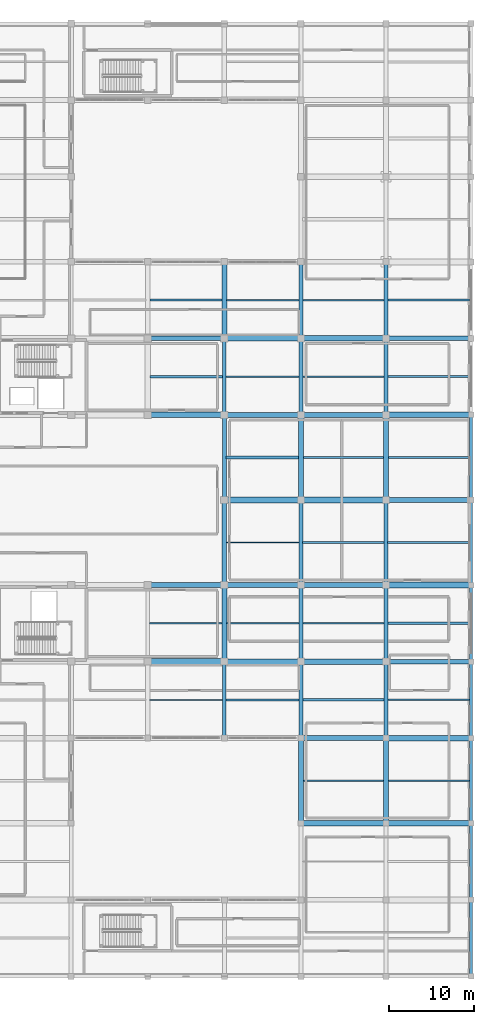
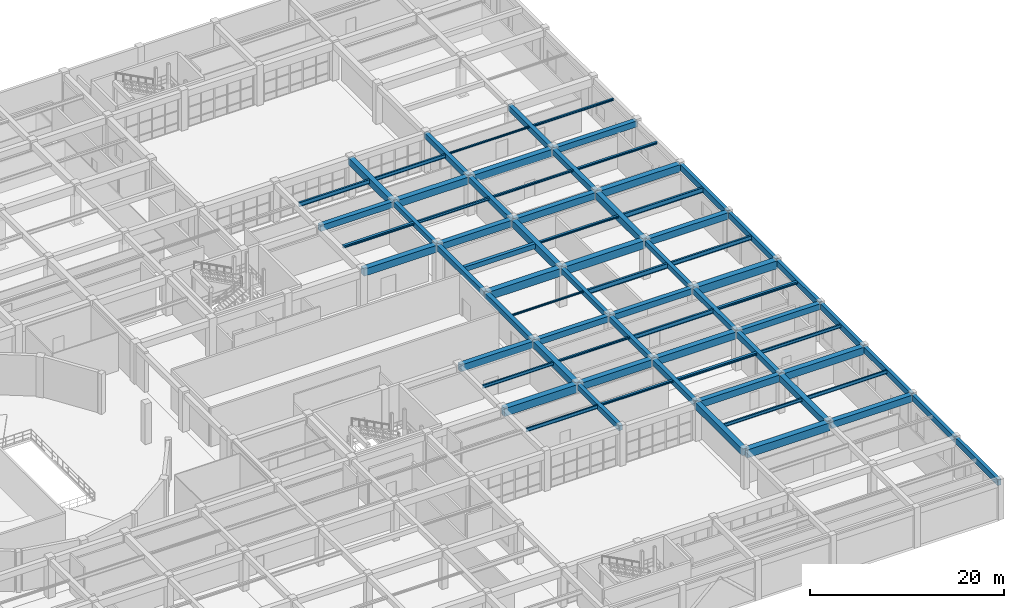
# One storey, part 77 of 128: 74 beams.
"""IFC4 building model written with IfcOpenShell, lengths in metres."""

import ifcopenshell
import ifcopenshell.guid

model = None  # the IFC model being written
_history = None  # IfcOwnerHistory: only IFC2X3 demands one
_inside = {}  # id of a spatial element -> (the spatial element, [elements in it])
_under = {}  # id of a project, library or spatial element -> (it, [spatial elements below it])
_declared = {}  # id of a project -> (the project, [libraries it declares])
_typed = {}  # id of a type object -> (the type object, [elements of that type])
_made_of = {}  # id of a material, layer set ... -> (it, [elements and type objects made of it])


def new_model(schema):
    """Start an empty IFC model of exactly this schema.

    Asked for "IFC4X3", IfcOpenShell would pick the latest addendum, in which some entities
    have other attributes; the version numbers below select the first issue.
    IFC2X3 requires an IfcOwnerHistory on every rooted entity: one is made here for all.
    """
    global model, _history
    if schema == "IFC4X3":
        model = ifcopenshell.file(schema_version=(4, 3, 0, 0))
    else:
        model = ifcopenshell.file(schema=schema)
    _inside.clear()
    _under.clear()
    _declared.clear()
    _typed.clear()
    _made_of.clear()
    _history = None
    if model.schema == "IFC2X3":
        org = make("IfcOrganization", Name="unknown")
        user = make(
            "IfcPersonAndOrganization",
            ThePerson=make("IfcPerson", FamilyName="unknown"),
            TheOrganization=org,
        )
        app = make(
            "IfcApplication",
            ApplicationDeveloper=org,
            Version="unknown",
            ApplicationFullName="unknown",
            ApplicationIdentifier="unknown",
        )
        _history = make(
            "IfcOwnerHistory",
            OwningUser=user,
            OwningApplication=app,
            ChangeAction="ADDED",
            CreationDate=0,
        )
    return model


def make(cls, **values):
    """One entity of the class cls with the attributes given. An attribute that is None is left unset."""
    return model.create_entity(
        cls, **{name: value for name, value in values.items() if value is not None}
    )


def rooted(cls, **values):
    """An entity with a GlobalId (a new one), such as an element, a storey or a relation."""
    return make(cls, GlobalId=ifcopenshell.guid.new(), OwnerHistory=_history, **values)


def si_unit(unit_type, name, prefix=None):
    """IfcSIUnit, for example si_unit("LENGTHUNIT", "METRE", prefix="MILLI")."""
    return make("IfcSIUnit", UnitType=unit_type, Prefix=prefix, Name=name)


def assignment(units):
    """IfcUnitAssignment: the units of a project."""
    return None if units is None else make("IfcUnitAssignment", Units=units)


def point(xyz):
    """IfcCartesianPoint."""
    return None if xyz is None else make("IfcCartesianPoint", Coordinates=xyz)


def direction(xyz):
    """IfcDirection."""
    return None if xyz is None else make("IfcDirection", DirectionRatios=xyz)


def frame(location, z_axis=None, x_axis=None):
    """IfcAxis2Placement3D, a coordinate frame: its origin and axes. An axis left out is left unset."""
    return make(
        "IfcAxis2Placement3D",
        Location=point(location),
        Axis=direction(z_axis),
        RefDirection=direction(x_axis),
    )


def frame_2d(location, x_axis=None):
    """IfcAxis2Placement2D, a coordinate frame in the plane: its origin and x axis."""
    return make(
        "IfcAxis2Placement2D", Location=point(location), RefDirection=direction(x_axis)
    )


def origin():
    """The frame at (0, 0, 0) with its axes left unset."""
    return frame((0.0, 0.0, 0.0))


def origin_2d():
    """The frame at (0, 0) in the plane with its x axis left unset."""
    return frame_2d((0.0, 0.0))


def place(relative_to, where):
    """IfcLocalPlacement: puts the frame where relative to a parent placement (None: the world)."""
    return make(
        "IfcLocalPlacement", PlacementRelTo=relative_to, RelativePlacement=where
    )


def context(
    kind, dimensions, precision=None, world=None, true_north=None, identifier=None
):
    """IfcGeometricRepresentationContext, for example the 3D "Model" context."""
    return make(
        "IfcGeometricRepresentationContext",
        ContextIdentifier=identifier,
        ContextType=kind,
        CoordinateSpaceDimension=dimensions,
        Precision=precision,
        WorldCoordinateSystem=world,
        TrueNorth=true_north,
    )


def subcontext(parent, identifier, kind, view, scale=None):
    """IfcGeometricRepresentationSubContext, for example "Body" below "Model"."""
    return make(
        "IfcGeometricRepresentationSubContext",
        ContextIdentifier=identifier,
        ContextType=kind,
        ParentContext=parent,
        TargetScale=scale,
        TargetView=view,
    )


def project(units=None, contexts=None):
    """IfcProject with its units and contexts."""
    return rooted(
        "IfcProject",
        Name="project",
        RepresentationContexts=contexts,
        UnitsInContext=assignment(units),
    )


def spatial(cls, under=None, at=None, **own):
    """A site, building, storey or space (cls), placed at a placement, below another one or the project."""
    s = rooted(cls, ObjectPlacement=at, **own)
    if under is not None:
        _under.setdefault(under.id(), (under, []))[1].append(s)
    return s


def profile(cls, at=None, kind="AREA", **sizes):
    """A parametric profile (cls). Its sizes go by their IFC names, for example OverallWidth=200.0."""
    return make(cls, ProfileType=kind, Position=at, **sizes)


def rectangle(**sizes):
    """IfcRectangleProfileDef."""
    return profile("IfcRectangleProfileDef", **sizes)


def i_section(**sizes):
    """IfcIShapeProfileDef."""
    return profile("IfcIShapeProfileDef", **sizes)


def extrude(swept, where, along, depth):
    """IfcExtrudedAreaSolid: the profile swept, set in the frame where, extruded along a direction by depth."""
    return make(
        "IfcExtrudedAreaSolid",
        SweptArea=swept,
        Position=where,
        ExtrudedDirection=direction(along),
        Depth=depth,
    )


def shape(context_of_items, identifier, shape_type, items):
    """IfcShapeRepresentation: the items that make up one representation, for example the "Body"."""
    return make(
        "IfcShapeRepresentation",
        ContextOfItems=context_of_items,
        RepresentationIdentifier=identifier,
        RepresentationType=shape_type,
        Items=items,
    )


def material(Name=None, Category=None):
    """IfcMaterial."""
    return make("IfcMaterial", Name=Name, Category=Category)


def material_profile(
    of_material, cross_section, Name=None, Category=None, Priority=None
):
    """IfcMaterialProfile: a cross section and its material."""
    return make(
        "IfcMaterialProfile",
        Name=Name,
        Material=of_material,
        Profile=cross_section,
        Priority=Priority,
        Category=Category,
    )


def profile_set(profiles, Name=None, composite=None):
    """IfcMaterialProfileSet."""
    return make(
        "IfcMaterialProfileSet",
        Name=Name,
        MaterialProfiles=profiles,
        CompositeProfile=composite,
    )


def made_of(thing, what):
    """Note that an element or type object is made of a material, layer set ...; save() writes the relation."""
    if what is not None:
        _made_of.setdefault(what.id(), (what, []))[1].append(thing)
    return thing


def type_object(cls, material=None, **own):
    """A type object (cls), such as IfcWallType, which elements share."""
    return made_of(rooted(cls, **own), material)


def element(
    cls,
    number,
    at=None,
    inside=None,
    cuts=None,
    type_object=None,
    material=None,
    context=None,
    identifier="Body",
    shape_type=None,
    held_by="IfcProductDefinitionShape",
    body=None,
    shapes=None,
    **own,
):
    """One element of the class cls, such as IfcWall. Its Tag is "e" and its number.

    at: its placement. inside: the storey or other place that contains it. cuts: it is an
    opening in that element (IfcRelVoidsElement). A single representation is given by context,
    identifier, shape_type and body (its items); several are given by shapes. held_by: the class
    of the entity that holds the representations. save() writes the other relations.
    """
    e = rooted(cls, Tag="e%d" % number, ObjectPlacement=at, **own)
    if body is not None:
        shapes = [shape(context, identifier, shape_type, body)]
    if shapes is not None:
        e.Representation = make(held_by, Representations=shapes)
    if inside is not None:
        _inside.setdefault(inside.id(), (inside, []))[1].append(e)
    if cuts is not None:
        rooted(
            "IfcRelVoidsElement", RelatingBuildingElement=cuts, RelatedOpeningElement=e
        )
    if type_object is not None:
        _typed.setdefault(type_object.id(), (type_object, []))[1].append(e)
    return made_of(e, material)


def aggregate(whole, parts):
    """IfcRelAggregates: a whole, such as a stair, and the parts it consists of."""
    return rooted("IfcRelAggregates", RelatingObject=whole, RelatedObjects=parts)


def save(model, path):
    """Write the relations noted so far, then the file.

    IfcRelAggregates (storeys below a building ...), IfcRelContainedInSpatialStructure (elements
    in a storey), IfcRelDefinesByType, IfcRelAssociatesMaterial and IfcRelDeclares: one each for
    every whole, place, type object, material and project.
    """
    for whole, parts in _under.values():
        aggregate(whole, parts)
    for where, things in _inside.values():
        rooted(
            "IfcRelContainedInSpatialStructure",
            RelatedElements=things,
            RelatingStructure=where,
        )
    for kind, things in _typed.values():
        rooted("IfcRelDefinesByType", RelatedObjects=things, RelatingType=kind)
    for what, things in _made_of.values():
        rooted("IfcRelAssociatesMaterial", RelatedObjects=things, RelatingMaterial=what)
    for by, libraries in _declared.values():
        rooted("IfcRelDeclares", RelatingContext=by, RelatedDefinitions=libraries)
    model.write(path)


model = new_model("IFC4")

# Units and contexts
model_context = context("Model", 3, precision=1e-05, world=origin(), true_north=direction((0.0, 1.0)))
body_context = subcontext(model_context, "Body", "Model", "MODEL_VIEW")
ifc_project = project(units=[si_unit("LENGTHUNIT", "METRE"), si_unit("AREAUNIT", "SQUARE_METRE"), si_unit("VOLUMEUNIT", "CUBIC_METRE"), si_unit("PLANEANGLEUNIT", "RADIAN"), si_unit("MASSUNIT", "GRAM", prefix="KILO")], contexts=[model_context])

# Site, building, storey
site_placement = place(None, origin())
site = spatial("IfcSite", under=ifc_project, at=site_placement, CompositionType="ELEMENT")
building_placement = place(site_placement, origin())
building = spatial("IfcBuilding", under=site, at=building_placement, Name="Miravela Opera House", CompositionType="ELEMENT")
storey_placement = place(building_placement, origin())
storey = spatial("IfcBuildingStorey", under=building, at=storey_placement, Name="L00", CompositionType="ELEMENT", Elevation=0.0)

# Beams
ifc_material_1 = material(Name="Concrete C35/45", Category="concrete")
ifc_material_profile_1 = material_profile(ifc_material_1, rectangle(XDim=0.39990234375, YDim=0.60009765625, at=origin_2d()), Name="RC-BM-400X600")
ifc_profile_set_1 = profile_set([ifc_material_profile_1])
beam_type_1 = type_object("IfcBeamType", Name="STR-BM-RC400X600", PredefinedType="JOIST", material=ifc_profile_set_1)
beam_1_placement = place(storey_placement, frame((135.22509765625, 61.0, 4.550048828125), z_axis=(1.0, 0.0, 0.0), x_axis=(0.0, 1.0, 0.0)))
element("IfcBeam", 1, at=beam_1_placement, inside=storey, type_object=beam_type_1, Name="Secondary Floor Joist L00 16-17/G-H", PredefinedType="JOIST", context=body_context, shape_type="SweptSolid", body=[
    extrude(rectangle(XDim=0.39990234375, YDim=0.60009765625, at=origin_2d()), origin(), (0.0, 0.0, 1.0), 8.489990234375),
])
ifc_material_profile_2 = material_profile(ifc_material_1, rectangle(XDim=0.449951171875, YDim=0.64990234375, at=origin_2d()), Name="RC-BM-450X650")
ifc_profile_set_2 = profile_set([ifc_material_profile_2])
beam_type_2 = type_object("IfcBeamType", Name="STR-BM-RC450X650", PredefinedType="BEAM", material=ifc_profile_set_2)
for number, where, z_axis, x_axis, name in (
    (2, (135.0, 28.080078125, 4.52490234375), (0.0, 1.0, 0.0), (-1.0, 0.0, 0.0), "Floor Girder L00 16/D-E"),
    (3, (135.0, 66.080078125, 4.52490234375), (0.0, 1.0, 0.0), (-1.0, 0.0, 0.0), "Floor Girder L00 16/H-I"),
):
    element("IfcBeam", number, at=place(storey_placement, frame(where, z_axis=z_axis, x_axis=x_axis)), inside=storey, type_object=beam_type_2, Name=name, PredefinedType="BEAM", context=body_context, shape_type="SweptSolid", body=[
        extrude(rectangle(XDim=0.449951171875, YDim=0.64990234375, at=origin_2d()), origin(), (0.0, 0.0, 1.0), 8.83984375),
    ])
for number, where, z_axis, x_axis, name in (
    (4, (144.0, 46.080078125, 4.52490234375), (0.0, 1.0, 0.0), (-1.0, 0.0, 0.0), "Floor Girder L00 17/F-G"),
    (5, (154.0, 46.080078125, 4.52490234375), (0.0, 1.0, 0.0), (-1.0, 0.0, 0.0), "Floor Girder L00 18/F-G"),
):
    element("IfcBeam", number, at=place(storey_placement, frame(where, z_axis=z_axis, x_axis=x_axis)), inside=storey, type_object=beam_type_2, Name=name, PredefinedType="BEAM", context=body_context, shape_type="SweptSolid", body=[
        extrude(rectangle(XDim=0.449951171875, YDim=0.64990234375, at=origin_2d()), origin(), (0.0, 0.0, 1.0), 9.83984375),
    ])
ifc_material_profile_3 = material_profile(ifc_material_1, rectangle(XDim=0.47998046875, YDim=0.679931640625, at=origin_2d()), Name="RC-BM-480X680")
ifc_profile_set_3 = profile_set([ifc_material_profile_3])
beam_type_3 = type_object("IfcBeamType", Name="STR-BM-RC480X680", PredefinedType="BEAM", material=ifc_profile_set_3)
beam_2_placement = place(storey_placement, frame((135.0, 56.080078125, 4.510009765625), z_axis=(0.0, 1.0, 0.0), x_axis=(-1.0, 0.0, 0.0)))
element("IfcBeam", 6, at=beam_2_placement, inside=storey, type_object=beam_type_3, Name="Floor Girder L00 16/G-H", PredefinedType="BEAM", context=body_context, shape_type="SweptSolid", body=[
    extrude(rectangle(XDim=0.47998046875, YDim=0.679931640625, at=origin_2d()), origin(), (0.0, 0.0, 1.0), 9.83984375),
])
for number, where, z_axis, x_axis, name in (
    (7, (144.0, 37.080078125, 4.510009765625), (0.0, 1.0, 0.0), (-1.0, 0.0, 0.0), "Floor Girder L00 17/E-F"),
    (8, (144.0, 75.080078125, 4.510009765625), (0.0, 1.0, 0.0), (-1.0, 0.0, 0.0), "Floor Girder L00 17/I-J"),
    (9, (154.0, 37.080078125, 4.510009765625), (0.0, 1.0, 0.0), (-1.0, 0.0, 0.0), "Floor Girder L00 18/E-F"),
    (10, (154.0, 75.080078125, 4.510009765625), (0.0, 1.0, 0.0), (-1.0, 0.0, 0.0), "Floor Girder L00 18/I-J"),
):
    element("IfcBeam", number, at=place(storey_placement, frame(where, z_axis=z_axis, x_axis=x_axis)), inside=storey, type_object=beam_type_3, Name=name, PredefinedType="BEAM", context=body_context, shape_type="SweptSolid", body=[
        extrude(rectangle(XDim=0.47998046875, YDim=0.679931640625, at=origin_2d()), origin(), (0.0, 0.0, 1.0), 8.83984375),
    ])
ifc_material_profile_4 = material_profile(ifc_material_1, rectangle(XDim=0.5, YDim=0.699951171875, at=origin_2d()), Name="RC-BM-500X700")
ifc_profile_set_4 = profile_set([ifc_material_profile_4])
beam_type_4 = type_object("IfcBeamType", Name="STR-BM-RC500X700", PredefinedType="BEAM", material=ifc_profile_set_4)
beam_3_placement = place(storey_placement, frame((135.0, 46.080078125, 4.5), z_axis=(0.0, 1.0, 0.0), x_axis=(-1.0, 0.0, 0.0)))
element("IfcBeam", 11, at=beam_3_placement, inside=storey, type_object=beam_type_4, Name="Floor Girder L00 16/F-G", PredefinedType="BEAM", context=body_context, shape_type="SweptSolid", body=[
    extrude(rectangle(XDim=0.5, YDim=0.699951171875, at=origin_2d()), origin(), (0.0, 0.0, 1.0), 9.83984375),
])
for number, where, z_axis, x_axis, name in (
    (12, (144.0, 28.080078125, 4.5), (0.0, 1.0, 0.0), (-1.0, 0.0, 0.0), "Floor Girder L00 17/D-E"),
    (13, (144.0, 66.080078125, 4.5), (0.0, 1.0, 0.0), (-1.0, 0.0, 0.0), "Floor Girder L00 17/H-I"),
    (14, (154.0, 28.080078125, 4.5), (0.0, 1.0, 0.0), (-1.0, 0.0, 0.0), "Floor Girder L00 18/D-E"),
    (15, (154.0, 66.080078125, 4.5), (0.0, 1.0, 0.0), (-1.0, 0.0, 0.0), "Floor Girder L00 18/H-I"),
):
    element("IfcBeam", number, at=place(storey_placement, frame(where, z_axis=z_axis, x_axis=x_axis)), inside=storey, type_object=beam_type_4, Name=name, PredefinedType="BEAM", context=body_context, shape_type="SweptSolid", body=[
        extrude(rectangle(XDim=0.5, YDim=0.699951171875, at=origin_2d()), origin(), (0.0, 0.0, 1.0), 8.83984375),
    ])
ifc_material_profile_5 = material_profile(ifc_material_1, rectangle(XDim=0.550048828125, YDim=0.75, at=origin_2d()), Name="RC-BM-550X750")
ifc_profile_set_5 = profile_set([ifc_material_profile_5])
beam_type_5 = type_object("IfcBeamType", Name="STR-BM-RC550X750", PredefinedType="BEAM", material=ifc_profile_set_5)
for number, where, z_axis, x_axis, name in (
    (16, (126.080078125, 75.0, 4.47509765625), (1.0, 0.0, 0.0), (0.0, 1.0, 0.0), "Floor Girder L00 15-16/I"),
    (17, (135.080078125, 46.0, 4.47509765625), (1.0, 0.0, 0.0), (0.0, 1.0, 0.0), "Floor Girder L00 16-17/F"),
):
    element("IfcBeam", number, at=place(storey_placement, frame(where, z_axis=z_axis, x_axis=x_axis)), inside=storey, type_object=beam_type_5, Name=name, PredefinedType="BEAM", context=body_context, shape_type="SweptSolid", body=[
        extrude(rectangle(XDim=0.550048828125, YDim=0.75, at=origin_2d()), origin(), (0.0, 0.0, 1.0), 8.83984375),
    ])
for number, where, z_axis, x_axis, name in (
    (18, (144.080078125, 46.0, 4.47509765625), (1.0, 0.0, 0.0), (0.0, 1.0, 0.0), "Floor Girder L00 17-18/F"),
    (19, (154.080078125, 37.0, 4.47509765625), (1.0, 0.0, 0.0), (0.0, 1.0, 0.0), "Floor Girder L00 18-19/E"),
    (20, (154.080078125, 75.0, 4.47509765625), (1.0, 0.0, 0.0), (0.0, 1.0, 0.0), "Floor Girder L00 18-19/I"),
):
    element("IfcBeam", number, at=place(storey_placement, frame(where, z_axis=z_axis, x_axis=x_axis)), inside=storey, type_object=beam_type_5, Name=name, PredefinedType="BEAM", context=body_context, shape_type="SweptSolid", body=[
        extrude(rectangle(XDim=0.550048828125, YDim=0.75, at=origin_2d()), origin(), (0.0, 0.0, 1.0), 9.83984375),
    ])
ifc_material_2 = material(Name="Concrete C40/50", Category="concrete")
ifc_material_profile_6 = material_profile(ifc_material_2, rectangle(XDim=0.60009765625, YDim=0.85009765625, at=origin_2d()), Name="RC-BM-600X850")
ifc_profile_set_6 = profile_set([ifc_material_profile_6])
beam_type_6 = type_object("IfcBeamType", Name="STR-BM-RC600X850", PredefinedType="BEAM", material=ifc_profile_set_6)
for number, where, z_axis, x_axis, name in (
    (21, (126.080078125, 46.0, 4.425048828125), (1.0, 0.0, 0.0), (0.0, 1.0, 0.0), "Floor Girder L00 15-16/F"),
    (22, (135.080078125, 66.0, 4.425048828125), (1.0, 0.0, 0.0), (0.0, 1.0, 0.0), "Floor Girder L00 16-17/H"),
):
    element("IfcBeam", number, at=place(storey_placement, frame(where, z_axis=z_axis, x_axis=x_axis)), inside=storey, type_object=beam_type_6, Name=name, PredefinedType="BEAM", context=body_context, shape_type="SweptSolid", body=[
        extrude(rectangle(XDim=0.60009765625, YDim=0.85009765625, at=origin_2d()), origin(), (0.0, 0.0, 1.0), 8.83984375),
    ])
for number, where, z_axis, x_axis, name in (
    (23, (144.080078125, 28.0, 4.425048828125), (1.0, 0.0, 0.0), (0.0, 1.0, 0.0), "Floor Girder L00 17-18/D"),
    (24, (144.080078125, 66.0, 4.425048828125), (1.0, 0.0, 0.0), (0.0, 1.0, 0.0), "Floor Girder L00 17-18/H"),
    (25, (154.080078125, 18.0, 4.425048828125), (1.0, 0.0, 0.0), (0.0, 1.0, 0.0), "Floor Girder L00 18-19/C"),
    (26, (154.080078125, 56.0, 4.425048828125), (1.0, 0.0, 0.0), (0.0, 1.0, 0.0), "Floor Girder L00 18-19/G"),
):
    element("IfcBeam", number, at=place(storey_placement, frame(where, z_axis=z_axis, x_axis=x_axis)), inside=storey, type_object=beam_type_6, Name=name, PredefinedType="BEAM", context=body_context, shape_type="SweptSolid", body=[
        extrude(rectangle(XDim=0.60009765625, YDim=0.85009765625, at=origin_2d()), origin(), (0.0, 0.0, 1.0), 9.83984375),
    ])
for number, where, z_axis, x_axis, name in (
    (27, (135.0, 37.080078125, 4.425048828125), (0.0, 1.0, 0.0), (-1.0, 0.0, 0.0), "Floor Girder L00 16/E-F"),
    (28, (135.0, 75.080078125, 4.425048828125), (0.0, 1.0, 0.0), (-1.0, 0.0, 0.0), "Floor Girder L00 16/I-J"),
):
    element("IfcBeam", number, at=place(storey_placement, frame(where, z_axis=z_axis, x_axis=x_axis)), inside=storey, type_object=beam_type_6, Name=name, PredefinedType="BEAM", context=body_context, shape_type="SweptSolid", body=[
        extrude(rectangle(XDim=0.60009765625, YDim=0.85009765625, at=origin_2d()), origin(), (0.0, 0.0, 1.0), 8.83984375),
    ])
for number, where, z_axis, x_axis, name in (
    (29, (144.0, 18.080078125, 4.425048828125), (0.0, 1.0, 0.0), (-1.0, 0.0, 0.0), "Floor Girder L00 17/C-D"),
    (30, (144.0, 56.080078125, 4.425048828125), (0.0, 1.0, 0.0), (-1.0, 0.0, 0.0), "Floor Girder L00 17/G-H"),
    (31, (154.0, 18.080078125, 4.425048828125), (0.0, 1.0, 0.0), (-1.0, 0.0, 0.0), "Floor Girder L00 18/C-D"),
    (32, (154.0, 56.080078125, 4.425048828125), (0.0, 1.0, 0.0), (-1.0, 0.0, 0.0), "Floor Girder L00 18/G-H"),
):
    element("IfcBeam", number, at=place(storey_placement, frame(where, z_axis=z_axis, x_axis=x_axis)), inside=storey, type_object=beam_type_6, Name=name, PredefinedType="BEAM", context=body_context, shape_type="SweptSolid", body=[
        extrude(rectangle(XDim=0.60009765625, YDim=0.85009765625, at=origin_2d()), origin(), (0.0, 0.0, 1.0), 9.83984375),
    ])
ifc_material_profile_7 = material_profile(ifc_material_2, rectangle(XDim=0.64990234375, YDim=0.89990234375, at=origin_2d()), Name="RC-BM-650X900")
ifc_profile_set_7 = profile_set([ifc_material_profile_7])
beam_type_7 = type_object("IfcBeamType", Name="STR-BM-RC650X900", PredefinedType="BEAM", material=ifc_profile_set_7)
for number, where, z_axis, x_axis, name in (
    (33, (126.080078125, 66.0, 4.39990234375), (1.0, 0.0, 0.0), (0.0, 1.0, 0.0), "Floor Girder L00 15-16/H"),
    (34, (135.080078125, 37.0, 4.39990234375), (1.0, 0.0, 0.0), (0.0, 1.0, 0.0), "Floor Girder L00 16-17/E"),
    (35, (135.080078125, 75.0, 4.39990234375), (1.0, 0.0, 0.0), (0.0, 1.0, 0.0), "Floor Girder L00 16-17/I"),
):
    element("IfcBeam", number, at=place(storey_placement, frame(where, z_axis=z_axis, x_axis=x_axis)), inside=storey, type_object=beam_type_7, Name=name, PredefinedType="BEAM", context=body_context, shape_type="SweptSolid", body=[
        extrude(rectangle(XDim=0.64990234375, YDim=0.89990234375, at=origin_2d()), origin(), (0.0, 0.0, 1.0), 8.83984375),
    ])
for number, where, z_axis, x_axis, name in (
    (36, (144.080078125, 37.0, 4.39990234375), (1.0, 0.0, 0.0), (0.0, 1.0, 0.0), "Floor Girder L00 17-18/E"),
    (37, (144.080078125, 75.0, 4.39990234375), (1.0, 0.0, 0.0), (0.0, 1.0, 0.0), "Floor Girder L00 17-18/I"),
    (38, (154.080078125, 28.0, 4.39990234375), (1.0, 0.0, 0.0), (0.0, 1.0, 0.0), "Floor Girder L00 18-19/D"),
    (39, (154.080078125, 66.0, 4.39990234375), (1.0, 0.0, 0.0), (0.0, 1.0, 0.0), "Floor Girder L00 18-19/H"),
):
    element("IfcBeam", number, at=place(storey_placement, frame(where, z_axis=z_axis, x_axis=x_axis)), inside=storey, type_object=beam_type_7, Name=name, PredefinedType="BEAM", context=body_context, shape_type="SweptSolid", body=[
        extrude(rectangle(XDim=0.64990234375, YDim=0.89990234375, at=origin_2d()), origin(), (0.0, 0.0, 1.0), 9.83984375),
    ])
ifc_material_profile_8 = material_profile(ifc_material_2, rectangle(XDim=0.699951171875, YDim=1.0, at=origin_2d()), Name="RC-BM-700X1000")
ifc_profile_set_8 = profile_set([ifc_material_profile_8])
beam_type_8 = type_object("IfcBeamType", Name="STR-BM-RC700X1000", PredefinedType="BEAM", material=ifc_profile_set_8)
for number, where, z_axis, x_axis, name in (
    (40, (126.080078125, 37.0, 4.35009765625), (1.0, 0.0, 0.0), (0.0, 1.0, 0.0), "Floor Girder L00 15-16/E"),
    (41, (135.080078125, 56.0, 4.35009765625), (1.0, 0.0, 0.0), (0.0, 1.0, 0.0), "Floor Girder L00 16-17/G"),
):
    element("IfcBeam", number, at=place(storey_placement, frame(where, z_axis=z_axis, x_axis=x_axis)), inside=storey, type_object=beam_type_8, Name=name, PredefinedType="BEAM", context=body_context, shape_type="SweptSolid", body=[
        extrude(rectangle(XDim=0.699951171875, YDim=1.0, at=origin_2d()), origin(), (0.0, 0.0, 1.0), 8.83984375),
    ])
for number, where, z_axis, x_axis, name in (
    (42, (144.080078125, 18.0, 4.35009765625), (1.0, 0.0, 0.0), (0.0, 1.0, 0.0), "Floor Girder L00 17-18/C"),
    (43, (144.080078125, 56.0, 4.35009765625), (1.0, 0.0, 0.0), (0.0, 1.0, 0.0), "Floor Girder L00 17-18/G"),
    (44, (154.080078125, 46.0, 4.35009765625), (1.0, 0.0, 0.0), (0.0, 1.0, 0.0), "Floor Girder L00 18-19/F"),
):
    element("IfcBeam", number, at=place(storey_placement, frame(where, z_axis=z_axis, x_axis=x_axis)), inside=storey, type_object=beam_type_8, Name=name, PredefinedType="BEAM", context=body_context, shape_type="SweptSolid", body=[
        extrude(rectangle(XDim=0.699951171875, YDim=1.0, at=origin_2d()), origin(), (0.0, 0.0, 1.0), 9.83984375),
    ])
ifc_material_3 = material(Name="Structural steel ASTM A992 Gr. 50", Category="steel")
ifc_material_profile_9 = material_profile(ifc_material_3, i_section(OverallWidth=0.1650390625, OverallDepth=0.200927734375, WebThickness=0.006103515625, FlangeThickness=0.01025390625, FilletRadius=0.010009765625, at=origin_2d()), Name="W200X36")
ifc_profile_set_9 = profile_set([ifc_material_profile_9])
beam_type_9 = type_object("IfcBeamType", Name="STR-BM-W200X36", PredefinedType="LINTEL", material=ifc_profile_set_9)
beam_4_placement = place(storey_placement, frame((135.235107421875, 51.0, 4.74951171875), z_axis=(1.0, 0.0, 0.0), x_axis=(0.0, 1.0, 0.0)))
element("IfcBeam", 45, at=beam_4_placement, inside=storey, type_object=beam_type_9, Name="Secondary Floor Joist L00 16-17/F-G", PredefinedType="LINTEL", context=body_context, shape_type="SweptSolid", body=[
    extrude(i_section(OverallWidth=0.1650390625, OverallDepth=0.200927734375, WebThickness=0.006103515625, FlangeThickness=0.01025390625, FilletRadius=0.010009765625, at=origin_2d()), origin(), (0.0, 0.0, 1.0), 8.554931640625),
])
beam_5_placement = place(storey_placement, frame((144.22509765625, 79.5, 4.74951171875), z_axis=(1.0, 0.0, 0.0), x_axis=(0.0, 1.0, 0.0)))
element("IfcBeam", 46, at=beam_5_placement, inside=storey, type_object=beam_type_9, Name="Secondary Floor Joist L00 17-18/I-J", PredefinedType="LINTEL", context=body_context, shape_type="SweptSolid", body=[
    extrude(i_section(OverallWidth=0.1650390625, OverallDepth=0.200927734375, WebThickness=0.006103515625, FlangeThickness=0.01025390625, FilletRadius=0.010009765625, at=origin_2d()), origin(), (0.0, 0.0, 1.0), 9.5498046875),
])
ifc_material_profile_10 = material_profile(ifc_material_3, i_section(OverallWidth=0.201904296875, OverallDepth=0.2470703125, WebThickness=0.00732421875, FlangeThickness=0.010986328125, FilletRadius=0.011962890625, at=origin_2d()), Name="W250X49")
ifc_profile_set_10 = profile_set([ifc_material_profile_10])
beam_type_10 = type_object("IfcBeamType", Name="STR-BM-W250X49", PredefinedType="LINTEL", material=ifc_profile_set_10)
beam_6_placement = place(storey_placement, frame((135.284912109375, 41.5, 4.7265625), z_axis=(1.0, 0.0, 0.0), x_axis=(0.0, 1.0, 0.0)))
element("IfcBeam", 47, at=beam_6_placement, inside=storey, type_object=beam_type_10, Name="Secondary Floor Joist L00 16-17/E-F", PredefinedType="LINTEL", context=body_context, shape_type="SweptSolid", body=[
    extrude(i_section(OverallWidth=0.201904296875, OverallDepth=0.2470703125, WebThickness=0.00732421875, FlangeThickness=0.010986328125, FilletRadius=0.011962890625, at=origin_2d()), origin(), (0.0, 0.0, 1.0), 8.489990234375),
])
beam_7_placement = place(storey_placement, frame((144.235107421875, 70.5, 4.7265625), z_axis=(1.0, 0.0, 0.0), x_axis=(0.0, 1.0, 0.0)))
element("IfcBeam", 48, at=beam_7_placement, inside=storey, type_object=beam_type_10, Name="Secondary Floor Joist L00 17-18/H-I", PredefinedType="LINTEL", context=body_context, shape_type="SweptSolid", body=[
    extrude(i_section(OverallWidth=0.201904296875, OverallDepth=0.2470703125, WebThickness=0.00732421875, FlangeThickness=0.010986328125, FilletRadius=0.011962890625, at=origin_2d()), origin(), (0.0, 0.0, 1.0), 9.52978515625),
])
beam_8_placement = place(storey_placement, frame((154.22509765625, 79.5, 4.7265625), z_axis=(1.0, 0.0, 0.0), x_axis=(0.0, 1.0, 0.0)))
element("IfcBeam", 49, at=beam_8_placement, inside=storey, type_object=beam_type_10, Name="Secondary Floor Joist L00 18-19/I-J", PredefinedType="LINTEL", context=body_context, shape_type="SweptSolid", body=[
    extrude(i_section(OverallWidth=0.201904296875, OverallDepth=0.2470703125, WebThickness=0.00732421875, FlangeThickness=0.010986328125, FilletRadius=0.011962890625, at=origin_2d()), origin(), (0.0, 0.0, 1.0), 9.58984375),
])
ifc_material_profile_11 = material_profile(ifc_material_3, i_section(OverallWidth=0.25390625, OverallDepth=0.2529296875, WebThickness=0.008544921875, FlangeThickness=0.01416015625, FilletRadius=0.011962890625, at=origin_2d()), Name="W250X73")
ifc_profile_set_11 = profile_set([ifc_material_profile_11])
beam_type_11 = type_object("IfcBeamType", Name="STR-BM-W250X73", PredefinedType="JOIST", material=ifc_profile_set_11)
beam_9_placement = place(storey_placement, frame((135.2099609375, 32.5, 4.723388671875), z_axis=(1.0, 0.0, 0.0), x_axis=(0.0, 1.0, 0.0)))
element("IfcBeam", 50, at=beam_9_placement, inside=storey, type_object=beam_type_11, Name="Secondary Floor Joist L00 16-17/D-E", PredefinedType="JOIST", context=body_context, shape_type="SweptSolid", body=[
    extrude(i_section(OverallWidth=0.25390625, OverallDepth=0.2529296875, WebThickness=0.008544921875, FlangeThickness=0.01416015625, FilletRadius=0.011962890625, at=origin_2d()), origin(), (0.0, 0.0, 1.0), 8.554931640625),
])
beam_10_placement = place(storey_placement, frame((144.284912109375, 61.0, 4.723388671875), z_axis=(1.0, 0.0, 0.0), x_axis=(0.0, 1.0, 0.0)))
element("IfcBeam", 51, at=beam_10_placement, inside=storey, type_object=beam_type_11, Name="Secondary Floor Joist L00 17-18/G-H", PredefinedType="JOIST", context=body_context, shape_type="SweptSolid", body=[
    extrude(i_section(OverallWidth=0.25390625, OverallDepth=0.2529296875, WebThickness=0.008544921875, FlangeThickness=0.01416015625, FilletRadius=0.011962890625, at=origin_2d()), origin(), (0.0, 0.0, 1.0), 9.43017578125),
])
beam_11_placement = place(storey_placement, frame((154.235107421875, 70.5, 4.723388671875), z_axis=(1.0, 0.0, 0.0), x_axis=(0.0, 1.0, 0.0)))
element("IfcBeam", 52, at=beam_11_placement, inside=storey, type_object=beam_type_11, Name="Secondary Floor Joist L00 18-19/H-I", PredefinedType="JOIST", context=body_context, shape_type="SweptSolid", body=[
    extrude(i_section(OverallWidth=0.25390625, OverallDepth=0.2529296875, WebThickness=0.008544921875, FlangeThickness=0.01416015625, FilletRadius=0.011962890625, at=origin_2d()), origin(), (0.0, 0.0, 1.0), 9.579833984375),
])
ifc_material_profile_12 = material_profile(ifc_material_3, i_section(OverallWidth=0.304931640625, OverallDepth=0.30810546875, WebThickness=0.010009765625, FlangeThickness=0.015380859375, FilletRadius=0.013916015625, at=origin_2d()), Name="W310X97")
ifc_profile_set_12 = profile_set([ifc_material_profile_12])
beam_type_12 = type_object("IfcBeamType", Name="STR-BM-W310X97", PredefinedType="JOIST", material=ifc_profile_set_12)
beam_12_placement = place(storey_placement, frame((126.284912109375, 70.5, 4.696044921875), z_axis=(1.0, 0.0, 0.0), x_axis=(0.0, 1.0, 0.0)))
element("IfcBeam", 53, at=beam_12_placement, inside=storey, type_object=beam_type_12, Name="Secondary Floor Joist L00 15-16/H-I", PredefinedType="JOIST", context=body_context, shape_type="SweptSolid", body=[
    extrude(i_section(OverallWidth=0.304931640625, OverallDepth=0.30810546875, WebThickness=0.010009765625, FlangeThickness=0.015380859375, FilletRadius=0.013916015625, at=origin_2d()), origin(), (0.0, 0.0, 1.0), 8.505126953125),
])
beam_13_placement = place(storey_placement, frame((144.235107421875, 32.5, 4.696044921875), z_axis=(1.0, 0.0, 0.0), x_axis=(0.0, 1.0, 0.0)))
element("IfcBeam", 54, at=beam_13_placement, inside=storey, type_object=beam_type_12, Name="Secondary Floor Joist L00 17-18/D-E", PredefinedType="JOIST", context=body_context, shape_type="SweptSolid", body=[
    extrude(i_section(OverallWidth=0.304931640625, OverallDepth=0.30810546875, WebThickness=0.010009765625, FlangeThickness=0.015380859375, FilletRadius=0.013916015625, at=origin_2d()), origin(), (0.0, 0.0, 1.0), 9.52978515625),
])
beam_14_placement = place(storey_placement, frame((154.22509765625, 41.5, 4.696044921875), z_axis=(1.0, 0.0, 0.0), x_axis=(0.0, 1.0, 0.0)))
element("IfcBeam", 55, at=beam_14_placement, inside=storey, type_object=beam_type_12, Name="Secondary Floor Joist L00 18-19/E-F", PredefinedType="JOIST", context=body_context, shape_type="SweptSolid", body=[
    extrude(i_section(OverallWidth=0.304931640625, OverallDepth=0.30810546875, WebThickness=0.010009765625, FlangeThickness=0.015380859375, FilletRadius=0.013916015625, at=origin_2d()), origin(), (0.0, 0.0, 1.0), 9.58984375),
])
ifc_material_profile_13 = material_profile(ifc_material_3, i_section(OverallWidth=0.2041015625, OverallDepth=0.35009765625, WebThickness=0.008544921875, FlangeThickness=0.01513671875, FilletRadius=0.013916015625, at=origin_2d()), Name="W360X72")
ifc_profile_set_13 = profile_set([ifc_material_profile_13])
beam_type_13 = type_object("IfcBeamType", Name="STR-BM-W360X72", PredefinedType="JOIST", material=ifc_profile_set_13)
beam_15_placement = place(storey_placement, frame((135.2099609375, 70.5, 4.675048828125), z_axis=(1.0, 0.0, 0.0), x_axis=(0.0, 1.0, 0.0)))
element("IfcBeam", 56, at=beam_15_placement, inside=storey, type_object=beam_type_13, Name="Secondary Floor Joist L00 16-17/H-I", PredefinedType="JOIST", context=body_context, shape_type="SweptSolid", body=[
    extrude(i_section(OverallWidth=0.2041015625, OverallDepth=0.35009765625, WebThickness=0.008544921875, FlangeThickness=0.01513671875, FilletRadius=0.013916015625, at=origin_2d()), origin(), (0.0, 0.0, 1.0), 8.554931640625),
])
ifc_material_profile_14 = material_profile(ifc_material_3, i_section(OverallWidth=0.177978515625, OverallDepth=0.406982421875, WebThickness=0.0078125, FlangeThickness=0.0126953125, FilletRadius=0.012939453125, at=origin_2d()), Name="W410X60")
ifc_profile_set_14 = profile_set([ifc_material_profile_14])
beam_type_14 = type_object("IfcBeamType", Name="STR-BM-W410X60", PredefinedType="JOIST", material=ifc_profile_set_14)
beam_16_placement = place(storey_placement, frame((126.2099609375, 41.5, 4.646484375), z_axis=(1.0, 0.0, 0.0), x_axis=(0.0, 1.0, 0.0)))
element("IfcBeam", 57, at=beam_16_placement, inside=storey, type_object=beam_type_14, Name="Secondary Floor Joist L00 15-16/E-F", PredefinedType="JOIST", context=body_context, shape_type="SweptSolid", body=[
    extrude(i_section(OverallWidth=0.177978515625, OverallDepth=0.406982421875, WebThickness=0.0078125, FlangeThickness=0.0126953125, FilletRadius=0.012939453125, at=origin_2d()), origin(), (0.0, 0.0, 1.0), 8.505126953125),
])
beam_17_placement = place(storey_placement, frame((144.284912109375, 23.0, 4.646484375), z_axis=(1.0, 0.0, 0.0), x_axis=(0.0, 1.0, 0.0)))
element("IfcBeam", 58, at=beam_17_placement, inside=storey, type_object=beam_type_14, Name="Secondary Floor Joist L00 17-18/C-D", PredefinedType="JOIST", context=body_context, shape_type="SweptSolid", body=[
    extrude(i_section(OverallWidth=0.177978515625, OverallDepth=0.406982421875, WebThickness=0.0078125, FlangeThickness=0.0126953125, FilletRadius=0.012939453125, at=origin_2d()), origin(), (0.0, 0.0, 1.0), 9.43017578125),
])
beam_18_placement = place(storey_placement, frame((154.235107421875, 32.5, 4.646484375), z_axis=(1.0, 0.0, 0.0), x_axis=(0.0, 1.0, 0.0)))
element("IfcBeam", 59, at=beam_18_placement, inside=storey, type_object=beam_type_14, Name="Secondary Floor Joist L00 18-19/D-E", PredefinedType="JOIST", context=body_context, shape_type="SweptSolid", body=[
    extrude(i_section(OverallWidth=0.177978515625, OverallDepth=0.406982421875, WebThickness=0.0078125, FlangeThickness=0.0126953125, FilletRadius=0.012939453125, at=origin_2d()), origin(), (0.0, 0.0, 1.0), 9.579833984375),
])
ifc_material_profile_15 = material_profile(ifc_material_3, i_section(OverallWidth=0.154052734375, OverallDepth=0.458984375, WebThickness=0.009033203125, FlangeThickness=0.015380859375, FilletRadius=0.013916015625, at=origin_2d()), Name="W460X68")
ifc_profile_set_15 = profile_set([ifc_material_profile_15])
beam_type_15 = type_object("IfcBeamType", Name="STR-BM-W460X68", PredefinedType="JOIST", material=ifc_profile_set_15)
beam_19_placement = place(storey_placement, frame((126.22509765625, 32.5, 4.62060546875), z_axis=(1.0, 0.0, 0.0), x_axis=(0.0, 1.0, 0.0)))
element("IfcBeam", 60, at=beam_19_placement, inside=storey, type_object=beam_type_15, Name="Secondary Floor Joist L00 15-16/D-E", PredefinedType="JOIST", context=body_context, shape_type="SweptSolid", body=[
    extrude(i_section(OverallWidth=0.154052734375, OverallDepth=0.458984375, WebThickness=0.009033203125, FlangeThickness=0.015380859375, FilletRadius=0.013916015625, at=origin_2d()), origin(), (0.0, 0.0, 1.0), 8.56494140625),
])
beam_20_placement = place(storey_placement, frame((154.284912109375, 23.0, 4.62060546875), z_axis=(1.0, 0.0, 0.0), x_axis=(0.0, 1.0, 0.0)))
element("IfcBeam", 61, at=beam_20_placement, inside=storey, type_object=beam_type_15, Name="Secondary Floor Joist L00 18-19/C-D", PredefinedType="JOIST", context=body_context, shape_type="SweptSolid", body=[
    extrude(i_section(OverallWidth=0.154052734375, OverallDepth=0.458984375, WebThickness=0.009033203125, FlangeThickness=0.015380859375, FilletRadius=0.013916015625, at=origin_2d()), origin(), (0.0, 0.0, 1.0), 9.530029296875),
])
ifc_material_profile_16 = material_profile(ifc_material_3, i_section(OverallWidth=0.19091796875, OverallDepth=0.4599609375, WebThickness=0.010009765625, FlangeThickness=0.01611328125, FilletRadius=0.014892578125, at=origin_2d()), Name="W460X82")
ifc_profile_set_16 = profile_set([ifc_material_profile_16])
beam_type_16 = type_object("IfcBeamType", Name="STR-BM-W460X82", PredefinedType="JOIST", material=ifc_profile_set_16)
beam_21_placement = place(storey_placement, frame((135.284912109375, 79.5, 4.6201171875), z_axis=(1.0, 0.0, 0.0), x_axis=(0.0, 1.0, 0.0)))
element("IfcBeam", 62, at=beam_21_placement, inside=storey, type_object=beam_type_16, Name="Secondary Floor Joist L00 16-17/I-J", PredefinedType="JOIST", context=body_context, shape_type="SweptSolid", body=[
    extrude(i_section(OverallWidth=0.19091796875, OverallDepth=0.4599609375, WebThickness=0.010009765625, FlangeThickness=0.01611328125, FilletRadius=0.014892578125, at=origin_2d()), origin(), (0.0, 0.0, 1.0), 8.489990234375),
])
ifc_material_profile_17 = material_profile(ifc_material_3, i_section(OverallWidth=0.208984375, OverallDepth=0.532958984375, WebThickness=0.01025390625, FlangeThickness=0.015625, FilletRadius=0.014892578125, at=origin_2d()), Name="W530X92")
ifc_profile_set_17 = profile_set([ifc_material_profile_17])
beam_type_17 = type_object("IfcBeamType", Name="STR-BM-W530X92", PredefinedType="BEAM", material=ifc_profile_set_17)
beam_22_placement = place(storey_placement, frame((126.235107421875, 79.5, 4.58349609375), z_axis=(1.0, 0.0, 0.0), x_axis=(0.0, 1.0, 0.0)))
element("IfcBeam", 63, at=beam_22_placement, inside=storey, type_object=beam_type_17, Name="Secondary Floor Joist L00 15-16/I-J", PredefinedType="BEAM", context=body_context, shape_type="SweptSolid", body=[
    extrude(i_section(OverallWidth=0.208984375, OverallDepth=0.532958984375, WebThickness=0.01025390625, FlangeThickness=0.015625, FilletRadius=0.014892578125, at=origin_2d()), origin(), (0.0, 0.0, 1.0), 8.47998046875),
])
beam_23_placement = place(storey_placement, frame((144.22509765625, 41.5, 4.58349609375), z_axis=(1.0, 0.0, 0.0), x_axis=(0.0, 1.0, 0.0)))
element("IfcBeam", 64, at=beam_23_placement, inside=storey, type_object=beam_type_17, Name="Secondary Floor Joist L00 17-18/E-F", PredefinedType="BEAM", context=body_context, shape_type="SweptSolid", body=[
    extrude(i_section(OverallWidth=0.208984375, OverallDepth=0.532958984375, WebThickness=0.01025390625, FlangeThickness=0.015625, FilletRadius=0.014892578125, at=origin_2d()), origin(), (0.0, 0.0, 1.0), 9.5498046875),
])
beam_24_placement = place(storey_placement, frame((154.2099609375, 51.0, 4.58349609375), z_axis=(1.0, 0.0, 0.0), x_axis=(0.0, 1.0, 0.0)))
element("IfcBeam", 65, at=beam_24_placement, inside=storey, type_object=beam_type_17, Name="Secondary Floor Joist L00 18-19/F-G", PredefinedType="BEAM", context=body_context, shape_type="SweptSolid", body=[
    extrude(i_section(OverallWidth=0.208984375, OverallDepth=0.532958984375, WebThickness=0.01025390625, FlangeThickness=0.015625, FilletRadius=0.014892578125, at=origin_2d()), origin(), (0.0, 0.0, 1.0), 9.60498046875),
])
ifc_material_profile_18 = material_profile(ifc_material_3, i_section(OverallWidth=0.22802734375, OverallDepth=0.60791015625, WebThickness=0.01123046875, FlangeThickness=0.017333984375, FilletRadius=0.01611328125, at=origin_2d()), Name="W610X113")
ifc_profile_set_18 = profile_set([ifc_material_profile_18])
beam_type_18 = type_object("IfcBeamType", Name="STR-BM-W610X113", PredefinedType="BEAM", material=ifc_profile_set_18)
beam_25_placement = place(storey_placement, frame((144.2099609375, 51.0, 4.5458984375), z_axis=(1.0, 0.0, 0.0), x_axis=(0.0, 1.0, 0.0)))
element("IfcBeam", 66, at=beam_25_placement, inside=storey, type_object=beam_type_18, Name="Secondary Floor Joist L00 17-18/F-G", PredefinedType="BEAM", context=body_context, shape_type="SweptSolid", body=[
    extrude(i_section(OverallWidth=0.22802734375, OverallDepth=0.60791015625, WebThickness=0.01123046875, FlangeThickness=0.017333984375, FilletRadius=0.01611328125, at=origin_2d()), origin(), (0.0, 0.0, 1.0), 9.580078125),
])
beam_26_placement = place(storey_placement, frame((154.284912109375, 61.0, 4.5458984375), z_axis=(1.0, 0.0, 0.0), x_axis=(0.0, 1.0, 0.0)))
element("IfcBeam", 67, at=beam_26_placement, inside=storey, type_object=beam_type_18, Name="Secondary Floor Joist L00 18-19/G-H", PredefinedType="BEAM", context=body_context, shape_type="SweptSolid", body=[
    extrude(i_section(OverallWidth=0.22802734375, OverallDepth=0.60791015625, WebThickness=0.01123046875, FlangeThickness=0.017333984375, FilletRadius=0.01611328125, at=origin_2d()), origin(), (0.0, 0.0, 1.0), 9.530029296875),
])
ifc_material_profile_19 = material_profile(ifc_material_1, rectangle(XDim=0.39990234375, YDim=0.75, at=origin_2d()), Name="RC-SPN-400X750")
ifc_profile_set_19 = profile_set([ifc_material_profile_19])
beam_type_19 = type_object("IfcBeamType", Name="STR-SPN-RC400X750", PredefinedType="SPANDREL", material=ifc_profile_set_19)
for number, where, z_axis, x_axis, name in (
    (68, (164.0, 0.080078125, 4.47509765625), (0.0, 1.0, 0.0), (-1.0, 0.0, 0.0), "Floor Girder L00 19/A-B"),
    (69, (164.0, 9.080078125, 4.47509765625), (0.0, 1.0, 0.0), (-1.0, 0.0, 0.0), "Floor Girder L00 19/B-C"),
):
    element("IfcBeam", number, at=place(storey_placement, frame(where, z_axis=z_axis, x_axis=x_axis)), inside=storey, type_object=beam_type_19, Name=name, PredefinedType="SPANDREL", context=body_context, shape_type="SweptSolid", body=[
        extrude(rectangle(XDim=0.39990234375, YDim=0.75, at=origin_2d()), origin(), (0.0, 0.0, 1.0), 8.83984375),
    ])
beam_27_placement = place(storey_placement, frame((164.0, 18.080078125, 4.47509765625), z_axis=(0.0, 1.0, 0.0), x_axis=(-1.0, 0.0, 0.0)))
element("IfcBeam", 70, at=beam_27_placement, inside=storey, type_object=beam_type_19, Name="Floor Girder L00 19/C-D", PredefinedType="SPANDREL", context=body_context, shape_type="SweptSolid", body=[
    extrude(rectangle(XDim=0.39990234375, YDim=0.75, at=origin_2d()), origin(), (0.0, 0.0, 1.0), 9.83984375),
])
for number, where, z_axis, x_axis, name in (
    (71, (164.0, 28.080078125, 4.47509765625), (0.0, 1.0, 0.0), (-1.0, 0.0, 0.0), "Floor Girder L00 19/D-E"),
    (72, (164.0, 37.080078125, 4.47509765625), (0.0, 1.0, 0.0), (-1.0, 0.0, 0.0), "Floor Girder L00 19/E-F"),
):
    element("IfcBeam", number, at=place(storey_placement, frame(where, z_axis=z_axis, x_axis=x_axis)), inside=storey, type_object=beam_type_19, Name=name, PredefinedType="SPANDREL", context=body_context, shape_type="SweptSolid", body=[
        extrude(rectangle(XDim=0.39990234375, YDim=0.75, at=origin_2d()), origin(), (0.0, 0.0, 1.0), 8.83984375),
    ])
for number, where, z_axis, x_axis, name in (
    (73, (164.0, 46.080078125, 4.47509765625), (0.0, 1.0, 0.0), (-1.0, 0.0, 0.0), "Floor Girder L00 19/F-G"),
    (74, (164.0, 56.080078125, 4.47509765625), (0.0, 1.0, 0.0), (-1.0, 0.0, 0.0), "Floor Girder L00 19/G-H"),
):
    element("IfcBeam", number, at=place(storey_placement, frame(where, z_axis=z_axis, x_axis=x_axis)), inside=storey, type_object=beam_type_19, Name=name, PredefinedType="SPANDREL", context=body_context, shape_type="SweptSolid", body=[
        extrude(rectangle(XDim=0.39990234375, YDim=0.75, at=origin_2d()), origin(), (0.0, 0.0, 1.0), 9.83984375),
    ])

save(model, "model.ifc")
